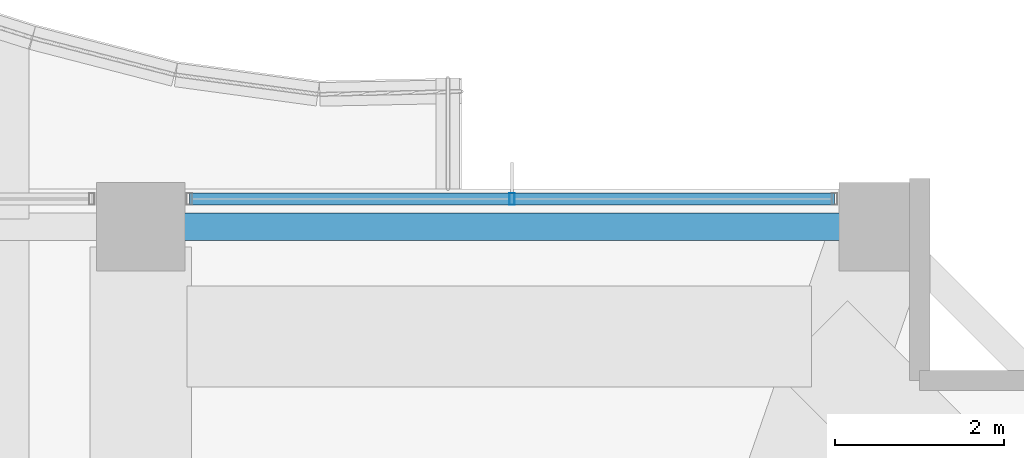
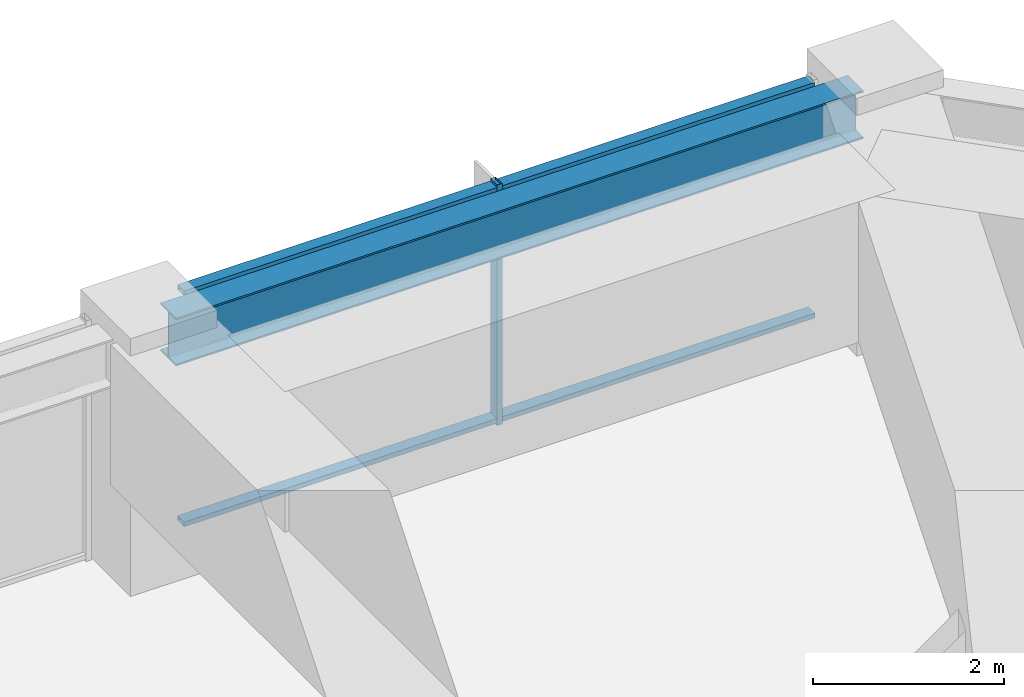
# One storey, part 22 of 34: 3 members, 1 beam, 1 element without a shape of its own.
"""IFC4 building model written with IfcOpenShell, lengths in metres."""

from ifc_helpers import new_model, si_unit, direction, frame, origin, origin_2d, place, context, subcontext, project, spatial, hollow_rectangle, i_section, extrude, material, material_profile, profile_set, type_object, element, aggregate, save


model = new_model("IFC4")

# Units and contexts
model_context = context("Model", 3, precision=1e-05, world=origin(), true_north=direction((0.0, 1.0)))
body_context = subcontext(model_context, "Body", "Model", "MODEL_VIEW")
ifc_project = project(units=[si_unit("LENGTHUNIT", "METRE"), si_unit("AREAUNIT", "SQUARE_METRE"), si_unit("VOLUMEUNIT", "CUBIC_METRE"), si_unit("PLANEANGLEUNIT", "RADIAN"), si_unit("MASSUNIT", "GRAM", prefix="KILO")], contexts=[model_context])

# Site, building, storey
site_placement = place(None, origin())
site = spatial("IfcSite", under=ifc_project, at=site_placement, CompositionType="ELEMENT")
building_placement = place(site_placement, origin())
building = spatial("IfcBuilding", under=site, at=building_placement, Name="Kolvaren Belvedere", CompositionType="ELEMENT")
storey_placement = place(building_placement, frame((0.0, 0.0, 105.199951171875)))
storey = spatial("IfcBuildingStorey", under=building, at=storey_placement, Name="L30", CompositionType="ELEMENT", Elevation=105.199951171875)

# Beam
ifc_material_1 = material(Name="Structural steel ASTM A992 Grade 50", Category="steel")
ifc_material_profile_1 = material_profile(ifc_material_1, i_section(OverallWidth=0.324951171875, OverallDepth=0.615966796875, WebThickness=0.013916015625, FlangeThickness=0.021484375, FilletRadius=0.02001953125, at=origin_2d()), Name="W24X117")
ifc_profile_set_1 = profile_set([ifc_material_profile_1], Name="Structural steel ASTM A992 Grade 50")
beam_type = type_object("IfcBeamType", Name="BM-SPAN-W24X117", PredefinedType="SPANDREL", material=ifc_profile_set_1)
beam_placement = place(storey_placement, frame((13.163818359375, 19.949951171875, 2.77197265625), z_axis=(-1.0, 0.0, 0.0), x_axis=(0.0, -1.0, 0.0)))
element("IfcBeam", 1, at=beam_placement, inside=storey, type_object=beam_type, Name="L30 Perimeter Spandrel N4-N3", PredefinedType="SPANDREL", context=body_context, shape_type="SweptSolid", body=[
    extrude(i_section(OverallWidth=0.324951171875, OverallDepth=0.615966796875, WebThickness=0.013916015625, FlangeThickness=0.021484375, FilletRadius=0.02001953125, at=origin_2d()), origin(), (0.0, 0.0, 1.0), 8.32763671875),
])

# Curtain wall, members
ifc_material_2 = material(Name="Anodised pale-metal aluminium AA 6063-T6", Category="aluminium")
curtain_wall_type = type_object("IfcCurtainWallType", Name="CW-Z2-MID", PredefinedType="NOTDEFINED", material=ifc_material_2)
curtain_wall_placement = place(storey_placement, origin())
curtain_wall = element("IfcCurtainWall", 2, at=curtain_wall_placement, inside=storey, type_object=curtain_wall_type, Name="L30 Unitised Curtain Wall FCW-L30-N2-B2", PredefinedType="NOTDEFINED")
ifc_material_3 = material(Name="Anodised pale-metal aluminium AA 6063-T6", Category="aluminium")
ifc_material_profile_2 = material_profile(ifc_material_3, hollow_rectangle(XDim=0.06494140625, YDim=0.139892578125, WallThickness=0.00390625, at=origin_2d()), Name="ALU-MUL-140X65")
ifc_profile_set_2 = profile_set([ifc_material_profile_2], Name="Anodised pale-metal aluminium AA 6063-T6")
member_type_1 = type_object("IfcMemberType", Name="CW-MUL-140", PredefinedType="MULLION", material=ifc_profile_set_2)
member_1_placement = place(storey_placement, frame((9.0, 20.280029296875, 0.0), z_axis=(0.0, 0.0, 1.0), x_axis=(1.0, 0.0, 0.0)))
member_1 = element("IfcMember", 3, at=member_1_placement, type_object=member_type_1, Name="FCW-L30-N2-B2 Unitised Mullion 2", PredefinedType="MULLION", context=body_context, shape_type="SweptSolid", body=[
    extrude(hollow_rectangle(XDim=0.06494140625, YDim=0.139892578125, WallThickness=0.00390625, at=origin_2d()), origin(), (0.0, 0.0, 1.0), 3.080078125),
])
ifc_material_4 = material(Name="Anodised pale-metal aluminium AA 6063-T6", Category="aluminium")
ifc_material_profile_3 = material_profile(ifc_material_4, hollow_rectangle(XDim=0.06005859375, YDim=0.139892578125, WallThickness=0.00390625, at=origin_2d()), Name="ALU-TRN-140X60")
ifc_profile_set_3 = profile_set([ifc_material_profile_3], Name="Anodised pale-metal aluminium AA 6063-T6")
member_type_2 = type_object("IfcMemberType", Name="CW-TRN-140", PredefinedType="USERDEFINED", material=ifc_profile_set_3)
member_2_placement = place(storey_placement, frame((5.177490234375, 20.280029296875, 0.06005859375), z_axis=(1.0, 0.0, 0.0), x_axis=(0.0, 0.0, 1.0)))
member_2 = element("IfcMember", 4, at=member_2_placement, type_object=member_type_2, Name="FCW-L30-N2-B2 Sill Transom", ObjectType="TRANSOM", PredefinedType="USERDEFINED", context=body_context, shape_type="SweptSolid", body=[
    extrude(hollow_rectangle(XDim=0.06005859375, YDim=0.139892578125, WallThickness=0.00390625, at=origin_2d()), origin(), (0.0, 0.0, 1.0), 7.64501953125),
])
member_3_placement = place(storey_placement, frame((5.177490234375, 20.280029296875, 3.02001953125), z_axis=(1.0, 0.0, 0.0), x_axis=(0.0, 0.0, 1.0)))
member_3 = element("IfcMember", 5, at=member_3_placement, type_object=member_type_2, Name="FCW-L30-N2-B2 Head Transom", ObjectType="TRANSOM", PredefinedType="USERDEFINED", context=body_context, shape_type="SweptSolid", body=[
    extrude(hollow_rectangle(XDim=0.06005859375, YDim=0.139892578125, WallThickness=0.00390625, at=origin_2d()), origin(), (0.0, 0.0, 1.0), 7.64501953125),
])
aggregate(curtain_wall, [member_1, member_2, member_3])

save(model, "model.ifc")
